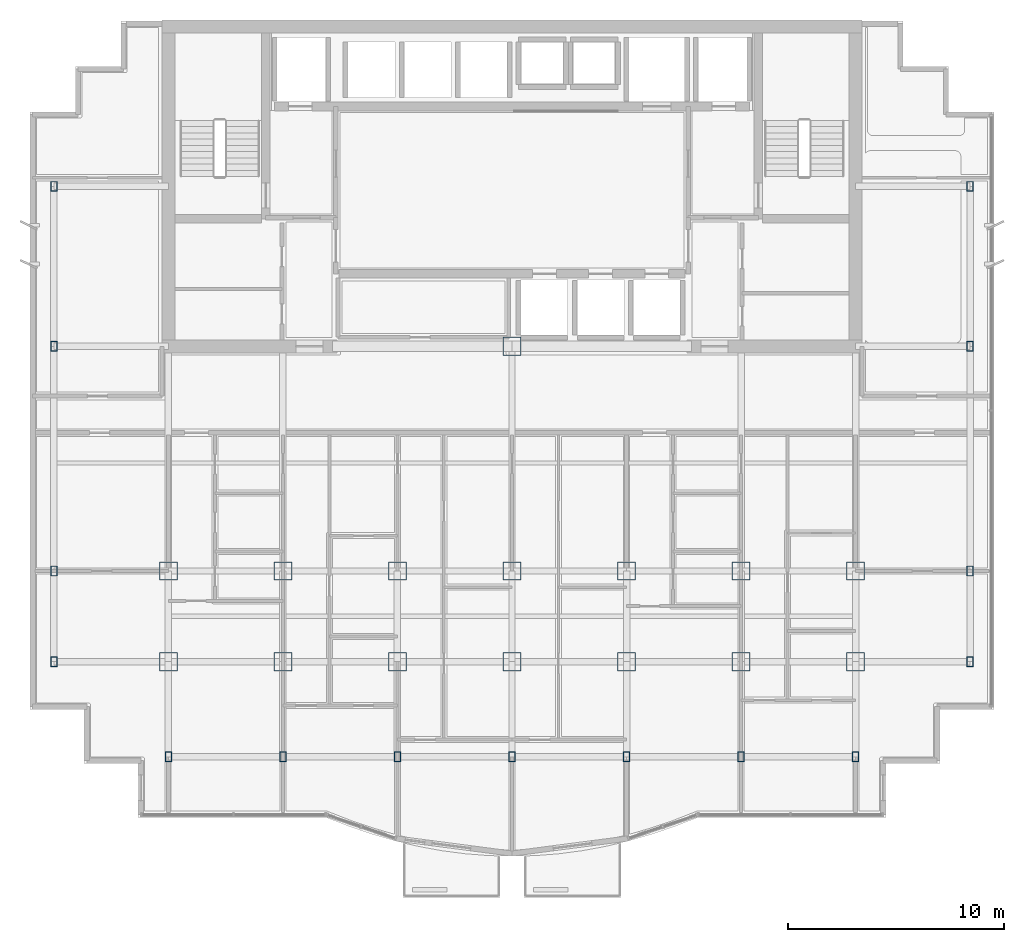
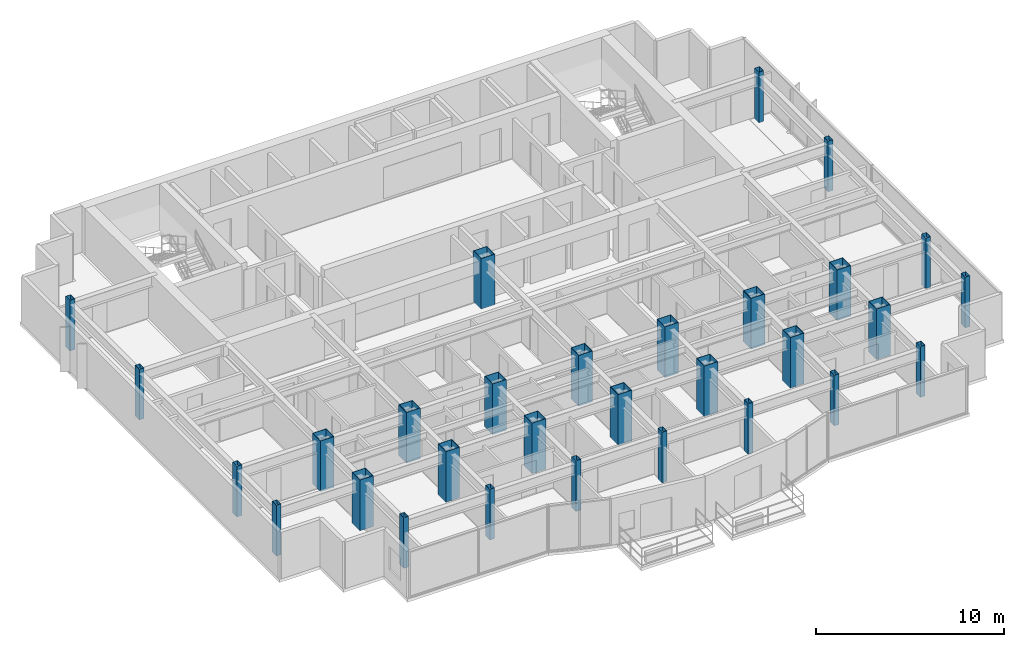
# One storey, part 1 of 13: 30 columns.
"""IFC4 building model written with IfcOpenShell, lengths in metres."""

from ifc_helpers import new_model, si_unit, direction, frame, origin, origin_2d, place, context, subcontext, project, spatial, hollow_rectangle, extrude, material, material_profile, profile_set, type_object, element, save


model = new_model("IFC4")

# Units and contexts
model_context = context("Model", 3, precision=1e-05, world=origin(), true_north=direction((0.0, 1.0)))
body_context = subcontext(model_context, "Body", "Model", "MODEL_VIEW")
ifc_project = project(units=[si_unit("LENGTHUNIT", "METRE"), si_unit("AREAUNIT", "SQUARE_METRE"), si_unit("VOLUMEUNIT", "CUBIC_METRE"), si_unit("PLANEANGLEUNIT", "RADIAN"), si_unit("MASSUNIT", "GRAM", prefix="KILO")], contexts=[model_context])

# Site, building, storey
site_placement = place(None, origin())
site = spatial("IfcSite", under=ifc_project, at=site_placement, CompositionType="ELEMENT")
building_placement = place(site_placement, origin())
building = spatial("IfcBuilding", under=site, at=building_placement, Name="Qianlan Lanfeng Residences", CompositionType="ELEMENT")
storey_placement = place(building_placement, frame((0.0, 0.0, 182.10009765625)))
storey = spatial("IfcBuildingStorey", under=building, at=storey_placement, Name="L50", CompositionType="ELEMENT", Elevation=182.10009765625)

# Columns
ifc_material = material(Name="Steel SN490B", Category="steel")
ifc_material_profile_1 = material_profile(ifc_material, hollow_rectangle(XDim=0.85009765625, YDim=0.85009765625, WallThickness=0.028076171875, at=origin_2d()), Name="BOX 850x850x28")
ifc_profile_set_1 = profile_set([ifc_material_profile_1], Name="Steel SN490B")
column_type_1 = type_object("IfcColumnType", Name="C-B900", PredefinedType="COLUMN", material=ifc_profile_set_1)
for number, where, z_axis, x_axis, name in (
    (1, (26.5, 25.199951171875, 0.0), (0.0, 0.0, 1.0), (1.0, 0.0, 0.0), "L50 Structural Column CP_26.5_25.2"),
    (2, (10.60009765625, 14.800048828125, 0.0), (0.0, 0.0, 1.0), (1.0, 0.0, 0.0), "L50 Structural Column M_10.60_14.80"),
    (3, (10.60009765625, 10.60009765625, 0.0), (0.0, 0.0, 1.0), (1.0, 0.0, 0.0), "L50 Structural Column G_10.60_10.60"),
    (4, (15.89990234375, 14.800048828125, 0.0), (0.0, 0.0, 1.0), (1.0, 0.0, 0.0), "L50 Structural Column M_15.90_14.80"),
    (5, (15.89990234375, 10.60009765625, 0.0), (0.0, 0.0, 1.0), (1.0, 0.0, 0.0), "L50 Structural Column G_15.90_10.60"),
    (6, (21.199951171875, 14.800048828125, 0.0), (0.0, 0.0, 1.0), (1.0, 0.0, 0.0), "L50 Structural Column M_21.20_14.80"),
    (7, (21.199951171875, 10.60009765625, 0.0), (0.0, 0.0, 1.0), (1.0, 0.0, 0.0), "L50 Structural Column G_21.20_10.60"),
    (8, (26.5, 14.800048828125, 0.0), (0.0, 0.0, 1.0), (1.0, 0.0, 0.0), "L50 Structural Column M_26.50_14.80"),
    (9, (26.5, 10.60009765625, 0.0), (0.0, 0.0, 1.0), (1.0, 0.0, 0.0), "L50 Structural Column G_26.50_10.60"),
    (10, (31.800048828125, 14.800048828125, 0.0), (0.0, 0.0, 1.0), (1.0, 0.0, 0.0), "L50 Structural Column M_31.80_14.80"),
    (11, (31.800048828125, 10.60009765625, 0.0), (0.0, 0.0, 1.0), (1.0, 0.0, 0.0), "L50 Structural Column G_31.80_10.60"),
    (12, (37.10009765625, 14.800048828125, 0.0), (0.0, 0.0, 1.0), (1.0, 0.0, 0.0), "L50 Structural Column M_37.10_14.80"),
    (13, (37.10009765625, 10.60009765625, 0.0), (0.0, 0.0, 1.0), (1.0, 0.0, 0.0), "L50 Structural Column G_37.10_10.60"),
    (14, (42.39990234375, 14.800048828125, 0.0), (0.0, 0.0, 1.0), (1.0, 0.0, 0.0), "L50 Structural Column M_42.40_14.80"),
    (15, (42.39990234375, 10.60009765625, 0.0), (0.0, 0.0, 1.0), (1.0, 0.0, 0.0), "L50 Structural Column G_42.40_10.60"),
):
    element("IfcColumn", number, at=place(storey_placement, frame(where, z_axis=z_axis, x_axis=x_axis)), inside=storey, type_object=column_type_1, Name=name, PredefinedType="COLUMN", context=body_context, shape_type="SweptSolid", body=[
        extrude(hollow_rectangle(XDim=0.85009765625, YDim=0.85009765625, WallThickness=0.028076171875, at=origin_2d()), origin(), (0.0, 0.0, 1.0), 3.2998046875),
    ])
ifc_material_profile_2 = material_profile(ifc_material, hollow_rectangle(XDim=0.300048828125, YDim=0.449951171875, WallThickness=0.01611328125, at=origin_2d()), Name="RHS 450x300x16")
ifc_profile_set_2 = profile_set([ifc_material_profile_2], Name="Steel SN490B")
column_type_2 = type_object("IfcColumnType", Name="CE-B950", PredefinedType="COLUMN", material=ifc_profile_set_2)
for number, where, z_axis, x_axis, name in (
    (16, (10.60009765625, 6.199951171875, 0.0), (0.0, 0.0, 1.0), (1.0, 0.0, 0.0), "L50 Structural Column S_10.60_6.20"),
    (17, (15.89990234375, 6.199951171875, 0.0), (0.0, 0.0, 1.0), (1.0, 0.0, 0.0), "L50 Structural Column S_15.90_6.20"),
    (18, (21.199951171875, 6.199951171875, 0.0), (0.0, 0.0, 1.0), (1.0, 0.0, 0.0), "L50 Structural Column S_21.20_6.20"),
    (19, (26.5, 6.199951171875, 0.0), (0.0, 0.0, 1.0), (1.0, 0.0, 0.0), "L50 Structural Column S_26.50_6.20"),
    (20, (31.800048828125, 6.199951171875, 0.0), (0.0, 0.0, 1.0), (1.0, 0.0, 0.0), "L50 Structural Column S_31.80_6.20"),
    (21, (37.10009765625, 6.199951171875, 0.0), (0.0, 0.0, 1.0), (1.0, 0.0, 0.0), "L50 Structural Column S_37.10_6.20"),
    (22, (42.39990234375, 6.199951171875, 0.0), (0.0, 0.0, 1.0), (1.0, 0.0, 0.0), "L50 Structural Column S_42.40_6.20"),
    (23, (5.300048828125, 10.60009765625, 0.0), (0.0, 0.0, 1.0), (1.0, 0.0, 0.0), "L50 Structural Column W_5.30_10.60"),
    (24, (5.300048828125, 14.800048828125, 0.0), (0.0, 0.0, 1.0), (1.0, 0.0, 0.0), "L50 Structural Column W_5.30_14.80"),
    (25, (5.300048828125, 25.199951171875, 0.0), (0.0, 0.0, 1.0), (1.0, 0.0, 0.0), "L50 Structural Column W_5.30_25.20"),
    (26, (5.300048828125, 32.60009765625, 0.0), (0.0, 0.0, 1.0), (1.0, 0.0, 0.0), "L50 Structural Column W_5.30_32.60"),
    (27, (47.699951171875, 10.60009765625, 0.0), (0.0, 0.0, 1.0), (1.0, 0.0, 0.0), "L50 Structural Column W_47.70_10.60"),
    (28, (47.699951171875, 14.800048828125, 0.0), (0.0, 0.0, 1.0), (1.0, 0.0, 0.0), "L50 Structural Column W_47.70_14.80"),
    (29, (47.699951171875, 25.199951171875, 0.0), (0.0, 0.0, 1.0), (1.0, 0.0, 0.0), "L50 Structural Column W_47.70_25.20"),
    (30, (47.699951171875, 32.60009765625, 0.0), (0.0, 0.0, 1.0), (1.0, 0.0, 0.0), "L50 Structural Column W_47.70_32.60"),
):
    element("IfcColumn", number, at=place(storey_placement, frame(where, z_axis=z_axis, x_axis=x_axis)), inside=storey, type_object=column_type_2, Name=name, PredefinedType="COLUMN", context=body_context, shape_type="SweptSolid", body=[
        extrude(hollow_rectangle(XDim=0.300048828125, YDim=0.449951171875, WallThickness=0.01611328125, at=origin_2d()), origin(), (0.0, 0.0, 1.0), 3.2998046875),
    ])

save(model, "model.ifc")
